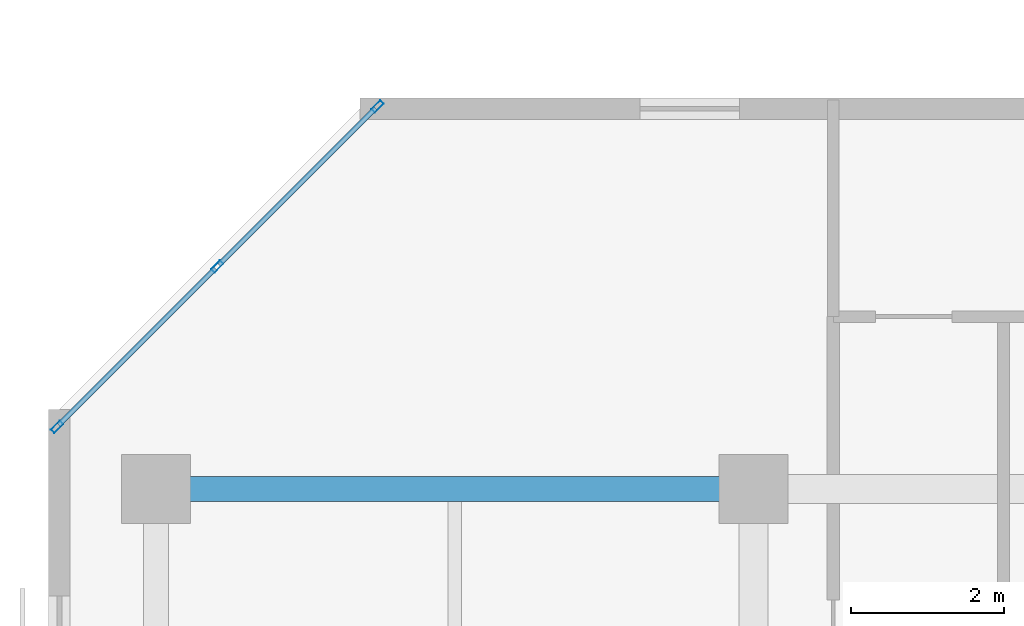
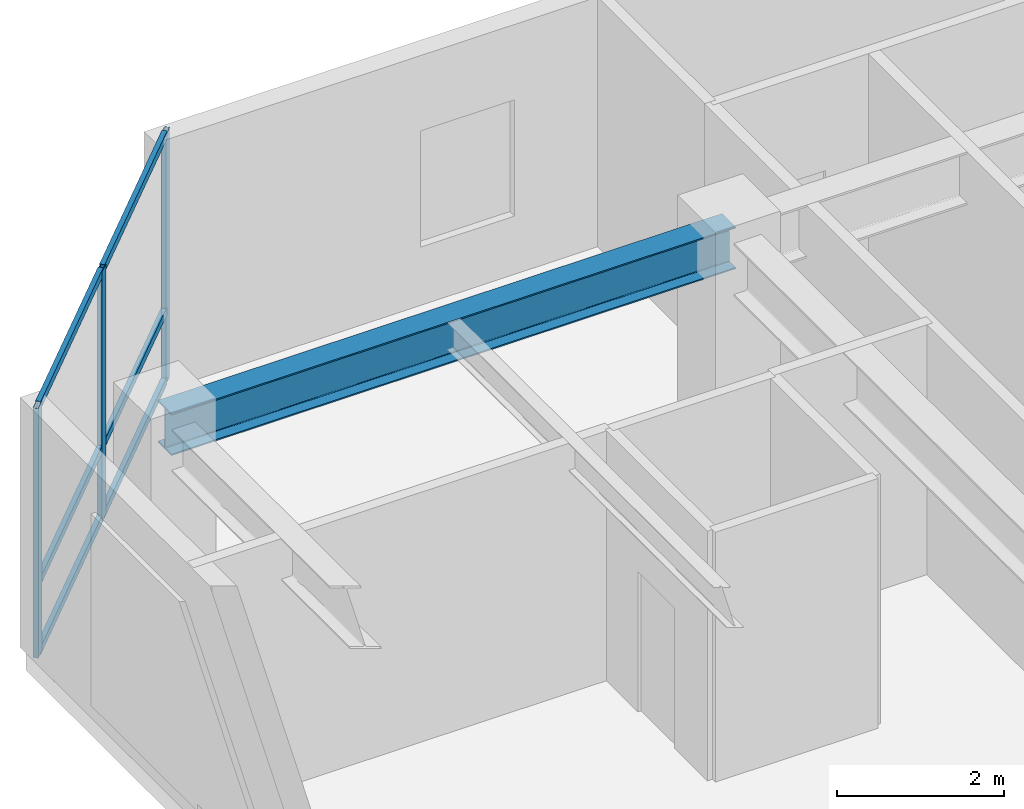
# One storey, part 2 of 11: 9 members, 1 beam, 1 element without a shape of its own.
"""IFC4 building model written with IfcOpenShell, lengths in metres."""

from ifc_helpers import new_model, si_unit, direction, frame, origin, origin_2d, place, context, subcontext, project, spatial, hollow_rectangle, i_section, extrude, material, layer, layer_set, material_profile, profile_set, type_object, element, aggregate, save


model = new_model("IFC4")

# Units and contexts
model_context = context("Model", 3, precision=1e-05, world=origin(), true_north=direction((0.0, 1.0)))
body_context = subcontext(model_context, "Body", "Model", "MODEL_VIEW")
ifc_project = project(units=[si_unit("LENGTHUNIT", "METRE"), si_unit("AREAUNIT", "SQUARE_METRE"), si_unit("VOLUMEUNIT", "CUBIC_METRE"), si_unit("PLANEANGLEUNIT", "RADIAN"), si_unit("MASSUNIT", "GRAM", prefix="KILO")], contexts=[model_context])

# Site, building, storey
site_placement = place(None, origin())
site = spatial("IfcSite", under=ifc_project, at=site_placement, CompositionType="ELEMENT")
building_placement = place(site_placement, origin())
building = spatial("IfcBuilding", under=site, at=building_placement, Name="Kestravale Grand Hotel", CompositionType="ELEMENT")
storey_placement = place(building_placement, frame((0.0, 0.0, 204.60009765625)))
storey = spatial("IfcBuildingStorey", under=building, at=storey_placement, Name="L51", CompositionType="ELEMENT", Elevation=204.60009765625)

# Beam
ifc_material_1 = material(Name="Steel ASTM A992 Grade 50", Category="steel")
ifc_material_profile_1 = material_profile(ifc_material_1, i_section(OverallWidth=0.324951171875, OverallDepth=0.612060546875, WebThickness=0.0126953125, FlangeThickness=0.01904296875, FilletRadius=0.018798828125, at=origin_2d()))
ifc_profile_set_1 = profile_set([ifc_material_profile_1], Name="Steel ASTM A992 Grade 50")
beam_type = type_object("IfcBeamType", Name="B-FLR-W24A", PredefinedType="SPANDREL", material=ifc_profile_set_1)
beam_placement = place(storey_placement, frame((7.800048828125, 38.39990234375, 3.343994140625), z_axis=(1.0, 0.0, 0.0), x_axis=(0.0, 1.0, 0.0)))
element("IfcBeam", 1, at=beam_placement, inside=storey, type_object=beam_type, Name="L51 spandrel F:2-3", PredefinedType="SPANDREL", context=body_context, shape_type="SweptSolid", body=[
    extrude(i_section(OverallWidth=0.324951171875, OverallDepth=0.612060546875, WebThickness=0.0126953125, FlangeThickness=0.01904296875, FilletRadius=0.018798828125, at=origin_2d()), origin(), (0.0, 0.0, 1.0), 7.800048828125),
])

# Curtain wall, members
ifc_material_2 = material(Name="Thermally broken champagne-bronze aluminium and low-E glazing", Category="aluminium")
ifc_layer = layer(ifc_material_2, 0.179931640625)
ifc_layer_set = layer_set([ifc_layer], Name="CW-Z3")
curtain_wall_type = type_object("IfcCurtainWallType", Name="CW-Z3", PredefinedType="NOTDEFINED", material=ifc_layer_set)
curtain_wall_placement = place(storey_placement, origin())
curtain_wall = element("IfcCurtainWall", 2, at=curtain_wall_placement, inside=storey, type_object=curtain_wall_type, Name="L51 unitised curtain wall 18", PredefinedType="NOTDEFINED")
ifc_material_3 = material(Name="Aluminium 6063-T6 anodised", Category="aluminium")
ifc_material_profile_2 = material_profile(ifc_material_3, hollow_rectangle(XDim=0.06494140625, YDim=0.1650390625, WallThickness=0.00341796875, at=origin_2d()))
ifc_profile_set_2 = profile_set([ifc_material_profile_2], Name="Aluminium 6063-T6 anodised")
member_type_1 = type_object("IfcMemberType", Name="CW-MUL-165", PredefinedType="MULLION", material=ifc_profile_set_2)
member_1_placement = place(storey_placement, frame((10.690185546875, 43.392333984375, 0.0), z_axis=(0.0, 0.0, 1.0), x_axis=(0.707106781187, -0.707106781187, 0.0)))
member_1 = element("IfcMember", 3, at=member_1_placement, type_object=member_type_1, Name="CW-Z3 mullion 1", PredefinedType="MULLION", context=body_context, shape_type="SweptSolid", body=[
    extrude(hollow_rectangle(XDim=0.06494140625, YDim=0.1650390625, WallThickness=0.00341796875, at=origin_2d()), origin(), (0.0, 0.0, 1.0), 3.64990234375),
])
member_2_placement = place(storey_placement, frame((8.59912109375, 41.301025390625, 0.0), z_axis=(0.0, 0.0, 1.0), x_axis=(0.707106781187, -0.707106781187, 0.0)))
member_2 = element("IfcMember", 4, at=member_2_placement, type_object=member_type_1, Name="CW-Z3 mullion 2", PredefinedType="MULLION", context=body_context, shape_type="SweptSolid", body=[
    extrude(hollow_rectangle(XDim=0.06494140625, YDim=0.1650390625, WallThickness=0.00341796875, at=origin_2d()), origin(), (0.0, 0.0, 1.0), 3.64990234375),
])
member_3_placement = place(storey_placement, frame((6.5078125, 39.209716796875, 0.0), z_axis=(0.0, 0.0, 1.0), x_axis=(0.707106781187, -0.707106781187, 0.0)))
member_3 = element("IfcMember", 5, at=member_3_placement, type_object=member_type_1, Name="CW-Z3 mullion 3", PredefinedType="MULLION", context=body_context, shape_type="SweptSolid", body=[
    extrude(hollow_rectangle(XDim=0.06494140625, YDim=0.1650390625, WallThickness=0.00341796875, at=origin_2d()), origin(), (0.0, 0.0, 1.0), 3.64990234375),
])
ifc_material_4 = material(Name="Aluminium 6063-T6 anodised", Category="aluminium")
ifc_material_profile_3 = material_profile(ifc_material_4, hollow_rectangle(XDim=0.06494140625, YDim=0.114990234375, WallThickness=0.003173828125, at=origin_2d()))
ifc_profile_set_3 = profile_set([ifc_material_profile_3], Name="Aluminium 6063-T6 anodised")
member_type_2 = type_object("IfcMemberType", Name="CW-TRN-115", PredefinedType="USERDEFINED", material=ifc_profile_set_3)
member_4_placement = place(storey_placement, frame((10.667236328125, 43.369140625, 0.032470703125), z_axis=(-0.707106781187, -0.707106781187, 0.0), x_axis=(0.707106781187, -0.707106781187, 0.0)))
member_4 = element("IfcMember", 6, at=member_4_placement, type_object=member_type_2, Name="CW-Z3 transom 1.1", ObjectType="TRANSOM", PredefinedType="USERDEFINED", context=body_context, shape_type="SweptSolid", body=[
    extrude(hollow_rectangle(XDim=0.06494140625, YDim=0.114990234375, WallThickness=0.003173828125, at=origin_2d()), origin(), (0.0, 0.0, 1.0), 2.892333984375),
])
member_5_placement = place(storey_placement, frame((10.667236328125, 43.369140625, 1.0498046875), z_axis=(-0.707106781187, -0.707106781187, 0.0), x_axis=(0.707106781187, -0.707106781187, 0.0)))
member_5 = element("IfcMember", 7, at=member_5_placement, type_object=member_type_2, Name="CW-Z3 transom 1.2", ObjectType="TRANSOM", PredefinedType="USERDEFINED", context=body_context, shape_type="SweptSolid", body=[
    extrude(hollow_rectangle(XDim=0.06494140625, YDim=0.114990234375, WallThickness=0.003173828125, at=origin_2d()), origin(), (0.0, 0.0, 1.0), 2.892333984375),
])
member_6_placement = place(storey_placement, frame((10.667236328125, 43.369140625, 3.617431640625), z_axis=(-0.707106781187, -0.707106781187, 0.0), x_axis=(0.707106781187, -0.707106781187, 0.0)))
member_6 = element("IfcMember", 8, at=member_6_placement, type_object=member_type_2, Name="CW-Z3 transom 1.3", ObjectType="TRANSOM", PredefinedType="USERDEFINED", context=body_context, shape_type="SweptSolid", body=[
    extrude(hollow_rectangle(XDim=0.06494140625, YDim=0.114990234375, WallThickness=0.003173828125, at=origin_2d()), origin(), (0.0, 0.0, 1.0), 2.892333984375),
])
member_7_placement = place(storey_placement, frame((8.575927734375, 41.278076171875, 0.032470703125), z_axis=(-0.707064577195, -0.707148982659, 0.0), x_axis=(0.707148982659, -0.707064577195, 0.0)))
member_7 = element("IfcMember", 9, at=member_7_placement, type_object=member_type_2, Name="CW-Z3 transom 2.1", ObjectType="TRANSOM", PredefinedType="USERDEFINED", context=body_context, shape_type="SweptSolid", body=[
    extrude(hollow_rectangle(XDim=0.06494140625, YDim=0.114990234375, WallThickness=0.003173828125, at=origin_2d()), origin(), (0.0, 0.0, 1.0), 2.892578125),
])
member_8_placement = place(storey_placement, frame((8.575927734375, 41.278076171875, 1.0498046875), z_axis=(-0.707064577195, -0.707148982659, 0.0), x_axis=(0.707148982659, -0.707064577195, 0.0)))
member_8 = element("IfcMember", 10, at=member_8_placement, type_object=member_type_2, Name="CW-Z3 transom 2.2", ObjectType="TRANSOM", PredefinedType="USERDEFINED", context=body_context, shape_type="SweptSolid", body=[
    extrude(hollow_rectangle(XDim=0.06494140625, YDim=0.114990234375, WallThickness=0.003173828125, at=origin_2d()), origin(), (0.0, 0.0, 1.0), 2.892578125),
])
member_9_placement = place(storey_placement, frame((8.575927734375, 41.278076171875, 3.617431640625), z_axis=(-0.707064577195, -0.707148982659, 0.0), x_axis=(0.707148982659, -0.707064577195, 0.0)))
member_9 = element("IfcMember", 11, at=member_9_placement, type_object=member_type_2, Name="CW-Z3 transom 2.3", ObjectType="TRANSOM", PredefinedType="USERDEFINED", context=body_context, shape_type="SweptSolid", body=[
    extrude(hollow_rectangle(XDim=0.06494140625, YDim=0.114990234375, WallThickness=0.003173828125, at=origin_2d()), origin(), (0.0, 0.0, 1.0), 2.892578125),
])
aggregate(curtain_wall, [member_1, member_2, member_3, member_4, member_5, member_6, member_7, member_8, member_9])

save(model, "model.ifc")
